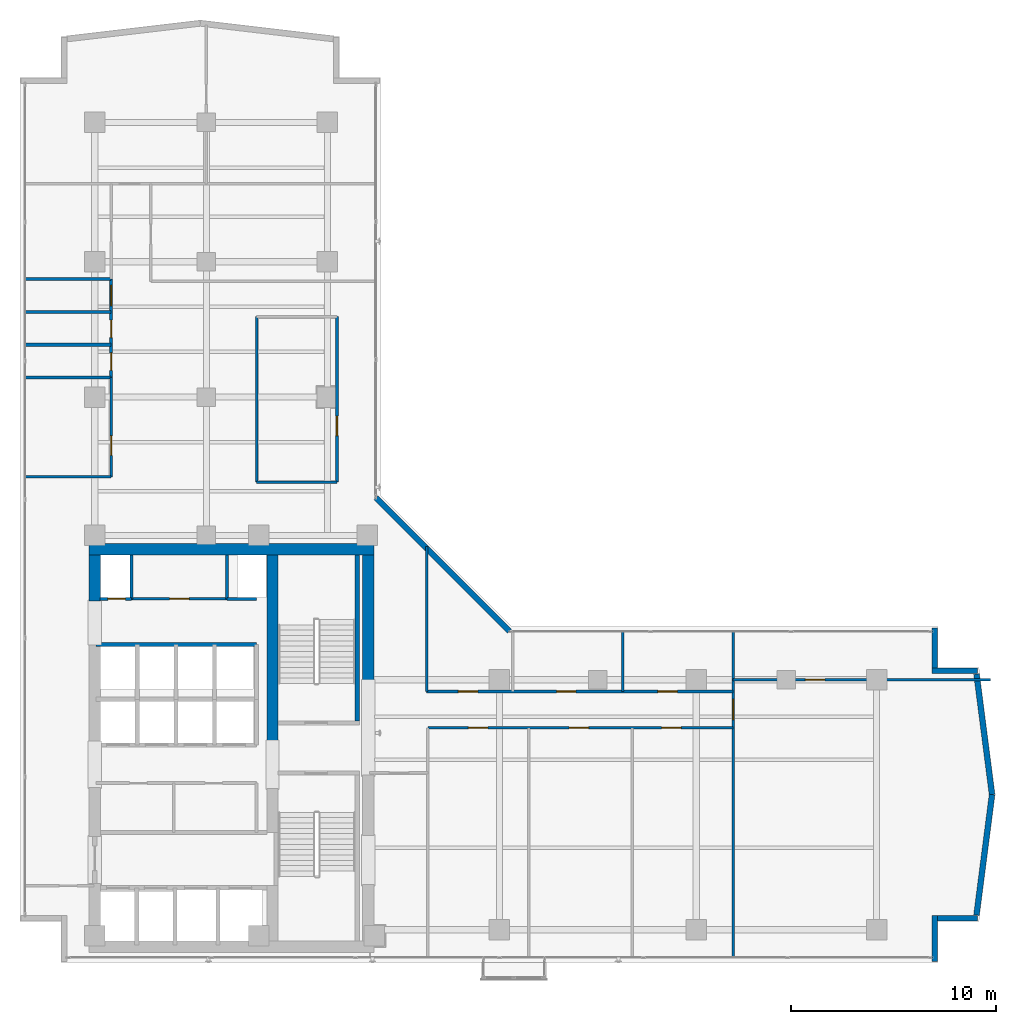
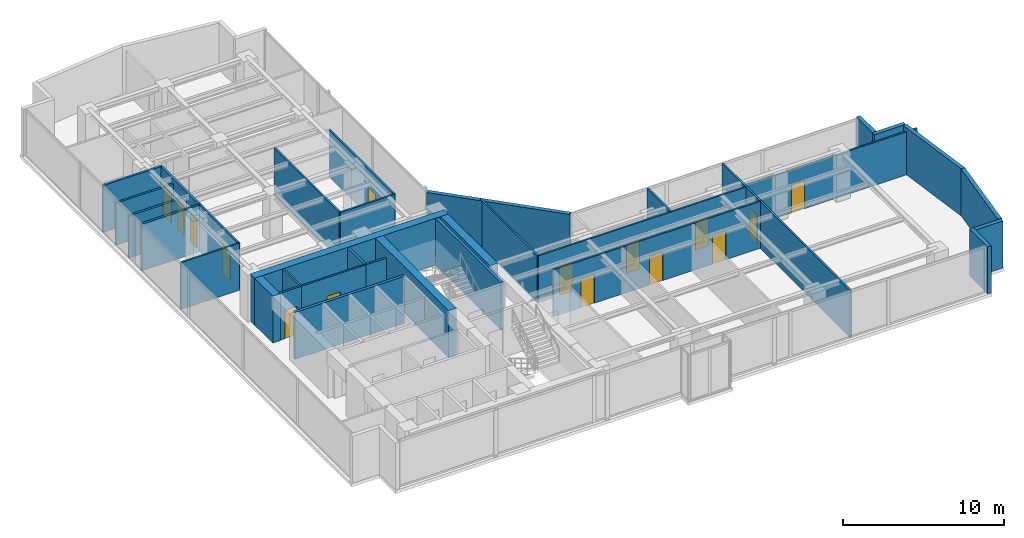
# One storey, part 18 of 23: 34 walls, 15 doors, 15 openings.
"""IFC4 building model written with IfcOpenShell, lengths in metres."""

from ifc_helpers import new_model, si_unit, direction, frame, frame_2d, origin, place, context, subcontext, project, spatial, rectangle, extrude, material, layer, layer_set, type_object, element, fill, save


model = new_model("IFC4")

# Units and contexts
model_context = context("Model", 3, precision=1e-05, world=origin(), true_north=direction((0.0, 1.0)))
body_context = subcontext(model_context, "Body", "Model", "MODEL_VIEW")
ifc_project = project(units=[si_unit("LENGTHUNIT", "METRE"), si_unit("AREAUNIT", "SQUARE_METRE"), si_unit("VOLUMEUNIT", "CUBIC_METRE"), si_unit("PLANEANGLEUNIT", "RADIAN"), si_unit("MASSUNIT", "GRAM", prefix="KILO")], contexts=[model_context])

# Site, building, storey
site_placement = place(None, origin())
site = spatial("IfcSite", under=ifc_project, at=site_placement, CompositionType="ELEMENT")
building_placement = place(site_placement, origin())
building = spatial("IfcBuilding", under=site, at=building_placement, Name="Kolvaren Waterfront Exchange", CompositionType="ELEMENT")
storey_placement = place(building_placement, frame((0.0, 0.0, 215.89990234375)))
storey = spatial("IfcBuildingStorey", under=building, at=storey_placement, Name="L55", CompositionType="ELEMENT", Elevation=215.89990234375)

# Walls
ifc_material_1 = material(Name="Precast concrete C40/50", Category="concrete")
ifc_layer_1 = layer(ifc_material_1, 0.280029296875, Name="Precast concrete C40/50")
ifc_layer_set_1 = layer_set([ifc_layer_1], Name="Precast concrete C40/50")
wall_type_1 = type_object("IfcWallType", Name="ARC-EXT-TERR-280", PredefinedType="SOLIDWALL", material=ifc_layer_set_1)
wall_1_placement = place(storey_placement, frame((48.43994140625, 3.659912109375, 0.0), z_axis=(0.0, 0.0, 1.0), x_axis=(0.0, 1.0, 0.0)))
element("IfcWall", 1, at=wall_1_placement, inside=storey, type_object=wall_type_1, Name="L55 notched corner spandrel pier SE-A", PredefinedType="SOLIDWALL", context=body_context, shape_type="SweptSolid", body=[
    extrude(rectangle(XDim=2.239990234375, YDim=0.280029296875, at=frame_2d((1.1201171875, 0.0))), origin(), (0.0, 0.0, 1.0), 3.56005859375),
])
wall_2_placement = place(storey_placement, frame((48.580078125, 5.760009765625, 0.0), z_axis=(0.0, 0.0, 1.0), x_axis=(1.0, 0.0, 0.0)))
element("IfcWall", 2, at=wall_2_placement, inside=storey, type_object=wall_type_1, Name="L55 notched corner spandrel pier SE-B", PredefinedType="SOLIDWALL", context=body_context, shape_type="SweptSolid", body=[
    extrude(rectangle(XDim=1.9599609375, YDim=0.280029296875, at=frame_2d((0.97998046875, 0.0))), origin(), (0.0, 0.0, 1.0), 3.56005859375),
])
wall_3_placement = place(storey_placement, frame((48.43994140625, 17.965087890625, 0.0), z_axis=(0.0, 0.0, 1.0), x_axis=(0.0, 1.0, 0.0)))
element("IfcWall", 3, at=wall_3_placement, inside=storey, type_object=wall_type_1, Name="L55 notched corner spandrel pier ENE-A", PredefinedType="SOLIDWALL", context=body_context, shape_type="SweptSolid", body=[
    extrude(rectangle(XDim=1.974853515625, YDim=0.280029296875, at=frame_2d((0.9873046875, 0.0))), origin(), (0.0, 0.0, 1.0), 3.56005859375),
])
wall_4_placement = place(storey_placement, frame((48.300048828125, 17.840087890625, 0.0), z_axis=(0.0, 0.0, 1.0), x_axis=(1.0, 0.0, 0.0)))
element("IfcWall", 4, at=wall_4_placement, inside=storey, type_object=wall_type_1, Name="L55 notched corner spandrel pier ENE-B", PredefinedType="SOLIDWALL", context=body_context, shape_type="SweptSolid", body=[
    extrude(rectangle(XDim=2.239990234375, YDim=0.280029296875, at=frame_2d((1.1201171875, 0.0))), origin(), (0.0, 0.0, 1.0), 3.56005859375),
])
wall_5_placement = place(storey_placement, frame((27.68505859375, 19.77490234375, 0.0), z_axis=(0.0, 0.0, 1.0), x_axis=(-0.707106781187, 0.707106781187, 0.0)))
element("IfcWall", 5, at=wall_5_placement, inside=storey, type_object=wall_type_1, Name="L55 notched corner spandrel pier ELBOW", PredefinedType="SOLIDWALL", context=body_context, shape_type="SweptSolid", body=[
    extrude(rectangle(XDim=9.20654296875, YDim=0.280029296875, at=frame_2d((4.603271484375, 0.0))), origin(), (0.0, 0.0, 1.0), 3.56005859375),
])
for number, where, z_axis, x_axis, name in (
    (6, (50.479736328125, 5.91796875, 0.0), (0.0, 0.0, 1.0), (0.127970031595, 0.991778035154, 0.0), "L55 east prow faceted facade wall 1"),
    (7, (51.23876953125, 11.79931640625, 0.0), (0.0, 0.0, 1.0), (-0.127970031595, 0.991778035154, 0.0), "L55 east prow faceted facade wall 2"),
):
    element("IfcWall", number, at=place(storey_placement, frame(where, z_axis=z_axis, x_axis=x_axis)), inside=storey, type_object=wall_type_1, Name=name, PredefinedType="SOLIDWALL", context=body_context, shape_type="SweptSolid", body=[
        extrude(rectangle(XDim=5.931396484375, YDim=0.280029296875, at=frame_2d((2.9658203125, 0.0))), origin(), (0.0, 0.0, 1.0), 3.56005859375),
    ])

# Wall, opening, door
ifc_material_2 = material(Name="Acoustic gypsum steel stud", Category="steel")
ifc_layer_2 = layer(ifc_material_2, 0.125, Name="Acoustic gypsum steel stud")
ifc_layer_set_2 = layer_set([ifc_layer_2], Name="Acoustic gypsum steel stud")
wall_type_2 = type_object("IfcWallType", Name="ARC-PART-125", PredefinedType="PARTITIONING", material=ifc_layer_set_2)
wall_6_placement = place(storey_placement, frame((9.25, 21.35009765625, 0.0), z_axis=(0.0, 0.0, 1.0), x_axis=(1.0, 0.0, 0.0)))
wall_6 = element("IfcWall", 8, at=wall_6_placement, inside=storey, type_object=wall_type_2, Name="L55 interior wall PW-L55-SVC-EX-S", PredefinedType="PARTITIONING", context=body_context, shape_type="SweptSolid", body=[
    extrude(rectangle(XDim=4.64990234375, YDim=0.125, at=frame_2d((2.324951171875, 0.0))), origin(), (0.0, 0.0, 1.0), 3.56005859375),
])
opening_1_placement = place(wall_6_placement, frame((1.85009765625, 0.0, 0.0)))
opening_1 = element("IfcOpeningElement", 9, at=opening_1_placement, cuts=wall_6, Name="Opening D02", PredefinedType="OPENING", context=body_context, shape_type="SweptSolid", body=[
    extrude(rectangle(XDim=0.949951171875, YDim=2.14990234375, at=frame_2d((0.47509765625, 1.074951171875))), frame((0.0, 0.072509765625, 0.0), z_axis=(0.0, -1.0, 0.0), x_axis=(1.0, 0.0, 0.0)), (0.0, 0.0, 1.0), 0.14501953125),
])
ifc_material_3 = material(Name="Oak veneer acoustic timber", Category="wood")
door_type_1 = type_object("IfcDoorType", Name="ARC-DR-950", OperationType="NOTDEFINED", PredefinedType="DOOR", material=ifc_material_3)
door_1_placement = place(opening_1_placement, origin())
door_1 = element("IfcDoor", 10, at=door_1_placement, inside=storey, type_object=door_type_1, Name="L55 door DR-L55-SVC-DR-1 (D02)", OperationType="SINGLE_SWING_LEFT", OverallHeight=2.14990234375, OverallWidth=0.949951171875, PredefinedType="DOOR", context=body_context, shape_type="SweptSolid", body=[
    extrude(rectangle(XDim=0.949951171875, YDim=2.14990234375, at=frame_2d((0.47509765625, 1.074951171875))), frame((0.0, 0.02490234375, 0.0), z_axis=(0.0, -1.0, 0.0), x_axis=(1.0, 0.0, 0.0)), (0.0, 0.0, 1.0), 0.050048828125),
])
fill(opening_1, door_1)

# Walls
wall_7_placement = place(storey_placement, frame((15.35009765625, 27.050048828125, 0.0), z_axis=(0.0, 0.0, 1.0), x_axis=(1.0, 0.0, 0.0)))
element("IfcWall", 11, at=wall_7_placement, inside=storey, type_object=wall_type_2, Name="L55 interior wall PW-L55-ISL-S", PredefinedType="PARTITIONING", context=body_context, shape_type="SweptSolid", body=[
    extrude(rectangle(XDim=3.919921875, YDim=0.125, at=frame_2d((1.9599609375, 0.0))), origin(), (0.0, 0.0, 1.0), 3.56005859375),
])
wall_8_placement = place(storey_placement, frame((15.35009765625, 27.050048828125, 0.0), z_axis=(0.0, 0.0, 1.0), x_axis=(0.0, 1.0, 0.0)))
element("IfcWall", 12, at=wall_8_placement, inside=storey, type_object=wall_type_2, Name="L55 interior wall PW-L55-ISL-W", PredefinedType="PARTITIONING", context=body_context, shape_type="SweptSolid", body=[
    extrude(rectangle(XDim=8.070068359375, YDim=0.125, at=frame_2d((4.03515625, 0.0))), origin(), (0.0, 0.0, 1.0), 3.56005859375),
])

# Wall, opening, door
wall_9_placement = place(storey_placement, frame((19.27001953125, 27.050048828125, 0.0), z_axis=(0.0, 0.0, 1.0), x_axis=(0.0, 1.0, 0.0)))
wall_9 = element("IfcWall", 13, at=wall_9_placement, inside=storey, type_object=wall_type_2, Name="L55 interior wall PW-L55-ISL-E", PredefinedType="PARTITIONING", context=body_context, shape_type="SweptSolid", body=[
    extrude(rectangle(XDim=8.070068359375, YDim=0.125, at=frame_2d((4.03515625, 0.0))), origin(), (0.0, 0.0, 1.0), 3.56005859375),
])
opening_2_placement = place(wall_9_placement, frame((2.27001953125, 0.0, 0.0)))
opening_2 = element("IfcOpeningElement", 14, at=opening_2_placement, cuts=wall_9, Name="Opening D02", PredefinedType="OPENING", context=body_context, shape_type="SweptSolid", body=[
    extrude(rectangle(XDim=0.949951171875, YDim=2.14990234375, at=frame_2d((0.47509765625, 1.074951171875))), frame((0.0, 0.072509765625, 0.0), z_axis=(0.0, -1.0, 0.0), x_axis=(1.0, 0.0, 0.0)), (0.0, 0.0, 1.0), 0.14501953125),
])
door_2_placement = place(opening_2_placement, origin())
door_2 = element("IfcDoor", 15, at=door_2_placement, inside=storey, type_object=door_type_1, Name="L55 door DR-L55-ISL-D (D02)", OperationType="SINGLE_SWING_RIGHT", OverallHeight=2.14990234375, OverallWidth=0.949951171875, PredefinedType="DOOR", context=body_context, shape_type="SweptSolid", body=[
    extrude(rectangle(XDim=0.949951171875, YDim=2.14990234375, at=frame_2d((0.47509765625, 1.074951171875))), frame((0.0, 0.02490234375, 0.0), z_axis=(0.0, -1.0, 0.0), x_axis=(1.0, 0.0, 0.0)), (0.0, 0.0, 1.0), 0.050048828125),
])
fill(opening_2, door_2)

wall_10_placement = place(storey_placement, frame((8.25, 27.300048828125, 0.0), z_axis=(0.0, 0.0, 1.0), x_axis=(0.0, 1.0, 0.0)))
wall_10 = element("IfcWall", 16, at=wall_10_placement, inside=storey, type_object=wall_type_2, Name="L55 interior wall PW-L55-PREWC-E", PredefinedType="PARTITIONING", context=body_context, shape_type="SweptSolid", body=[
    extrude(rectangle(XDim=4.849853515625, YDim=0.125, at=frame_2d((2.4248046875, 0.0))), origin(), (0.0, 0.0, 1.0), 3.56005859375),
])
opening_3_placement = place(wall_10_placement, frame((1.050048828125, 0.0, 0.0)))
opening_3 = element("IfcOpeningElement", 17, at=opening_3_placement, cuts=wall_10, Name="Opening D02", PredefinedType="OPENING", context=body_context, shape_type="SweptSolid", body=[
    extrude(rectangle(XDim=0.949951171875, YDim=2.14990234375, at=frame_2d((0.47509765625, 1.074951171875))), frame((0.0, 0.072509765625, 0.0), z_axis=(0.0, -1.0, 0.0), x_axis=(1.0, 0.0, 0.0)), (0.0, 0.0, 1.0), 0.14501953125),
])
door_3_placement = place(opening_3_placement, origin())
door_3 = element("IfcDoor", 18, at=door_3_placement, inside=storey, type_object=door_type_1, Name="L55 door DR-L55-PREWC-D (D02)", OperationType="SINGLE_SWING_LEFT", OverallHeight=2.14990234375, OverallWidth=0.949951171875, PredefinedType="DOOR", context=body_context, shape_type="SweptSolid", body=[
    extrude(rectangle(XDim=0.949951171875, YDim=2.14990234375, at=frame_2d((0.47509765625, 1.074951171875))), frame((0.0, 0.02490234375, 0.0), z_axis=(0.0, -1.0, 0.0), x_axis=(1.0, 0.0, 0.0)), (0.0, 0.0, 1.0), 0.050048828125),
])
fill(opening_3, door_3)

# Wall
wall_11_placement = place(storey_placement, frame((4.0400390625, 27.300048828125, 0.0), z_axis=(0.0, 0.0, 1.0), x_axis=(1.0, 0.0, 0.0)))
element("IfcWall", 19, at=wall_11_placement, inside=storey, type_object=wall_type_2, Name="L55 interior wall PW-L55-PREWC-S", PredefinedType="PARTITIONING", context=body_context, shape_type="SweptSolid", body=[
    extrude(rectangle(XDim=4.2099609375, YDim=0.125, at=frame_2d((2.10498046875, 0.0))), origin(), (0.0, 0.0, 1.0), 3.56005859375),
])

# Wall, openings, doors
wall_12_placement = place(storey_placement, frame((23.699951171875, 15.050048828125, 0.0), z_axis=(0.0, 0.0, 1.0), x_axis=(1.0, 0.0, 0.0)))
wall_12 = element("IfcWall", 20, at=wall_12_placement, inside=storey, type_object=wall_type_2, Name="L55 interior wall PW-L55-ES-CORR", PredefinedType="PARTITIONING", context=body_context, shape_type="SweptSolid", body=[
    extrude(rectangle(XDim=14.900146484375, YDim=0.125, at=frame_2d((7.4501953125, 0.0))), origin(), (0.0, 0.0, 1.0), 3.56005859375),
])
opening_4_placement = place(wall_12_placement, frame((1.985107421875, 0.0, 0.0)))
opening_4 = element("IfcOpeningElement", 21, at=opening_4_placement, cuts=wall_12, Name="Opening D02", PredefinedType="OPENING", context=body_context, shape_type="SweptSolid", body=[
    extrude(rectangle(XDim=0.949951171875, YDim=2.14990234375, at=frame_2d((0.47509765625, 1.074951171875))), frame((0.0, 0.072509765625, 0.0), z_axis=(0.0, -1.0, 0.0), x_axis=(1.0, 0.0, 0.0)), (0.0, 0.0, 1.0), 0.14501953125),
])
opening_5_placement = place(wall_12_placement, frame((6.903076171875, 0.0, 0.0)))
opening_5 = element("IfcOpeningElement", 22, at=opening_5_placement, cuts=wall_12, Name="Opening D02", PredefinedType="OPENING", context=body_context, shape_type="SweptSolid", body=[
    extrude(rectangle(XDim=0.949951171875, YDim=2.14990234375, at=frame_2d((0.47509765625, 1.074951171875))), frame((0.0, 0.072509765625, 0.0), z_axis=(0.0, -1.0, 0.0), x_axis=(1.0, 0.0, 0.0)), (0.0, 0.0, 1.0), 0.14501953125),
])
opening_6_placement = place(wall_12_placement, frame((11.416015625, 0.0, 0.0)))
opening_6 = element("IfcOpeningElement", 23, at=opening_6_placement, cuts=wall_12, Name="Opening D02", PredefinedType="OPENING", context=body_context, shape_type="SweptSolid", body=[
    extrude(rectangle(XDim=0.949951171875, YDim=2.14990234375, at=frame_2d((0.47509765625, 1.074951171875))), frame((0.0, 0.072509765625, 0.0), z_axis=(0.0, -1.0, 0.0), x_axis=(1.0, 0.0, 0.0)), (0.0, 0.0, 1.0), 0.14501953125),
])
door_4_placement = place(opening_4_placement, origin())
door_4 = element("IfcDoor", 24, at=door_4_placement, inside=storey, type_object=door_type_1, Name="L55 door DR-L55-ES-D-1 (D02)", OperationType="SINGLE_SWING_LEFT", OverallHeight=2.14990234375, OverallWidth=0.949951171875, PredefinedType="DOOR", context=body_context, shape_type="SweptSolid", body=[
    extrude(rectangle(XDim=0.949951171875, YDim=2.14990234375, at=frame_2d((0.47509765625, 1.074951171875))), frame((0.0, 0.02490234375, 0.0), z_axis=(0.0, -1.0, 0.0), x_axis=(1.0, 0.0, 0.0)), (0.0, 0.0, 1.0), 0.050048828125),
])
fill(opening_4, door_4)
door_5_placement = place(opening_5_placement, origin())
door_5 = element("IfcDoor", 25, at=door_5_placement, inside=storey, type_object=door_type_1, Name="L55 door DR-L55-ES-D-2 (D02)", OperationType="SINGLE_SWING_RIGHT", OverallHeight=2.14990234375, OverallWidth=0.949951171875, PredefinedType="DOOR", context=body_context, shape_type="SweptSolid", body=[
    extrude(rectangle(XDim=0.949951171875, YDim=2.14990234375, at=frame_2d((0.47509765625, 1.074951171875))), frame((0.0, 0.02490234375, 0.0), z_axis=(0.0, -1.0, 0.0), x_axis=(1.0, 0.0, 0.0)), (0.0, 0.0, 1.0), 0.050048828125),
])
fill(opening_5, door_5)
door_6_placement = place(opening_6_placement, origin())
door_6 = element("IfcDoor", 26, at=door_6_placement, inside=storey, type_object=door_type_1, Name="L55 door DR-L55-ES-D-3 (D02)", OperationType="SINGLE_SWING_LEFT", OverallHeight=2.14990234375, OverallWidth=0.949951171875, PredefinedType="DOOR", context=body_context, shape_type="SweptSolid", body=[
    extrude(rectangle(XDim=0.949951171875, YDim=2.14990234375, at=frame_2d((0.47509765625, 1.074951171875))), frame((0.0, 0.02490234375, 0.0), z_axis=(0.0, -1.0, 0.0), x_axis=(1.0, 0.0, 0.0)), (0.0, 0.0, 1.0), 0.050048828125),
])
fill(opening_6, door_6)

# Wall, opening, door
wall_13_placement = place(storey_placement, frame((38.60009765625, 3.840087890625, 0.0), z_axis=(0.0, 0.0, 1.0), x_axis=(0.0, 1.0, 0.0)))
wall_13 = element("IfcWall", 27, at=wall_13_placement, inside=storey, type_object=wall_type_2, Name="L55 interior wall PW-L55-ETIP-W", PredefinedType="PARTITIONING", context=body_context, shape_type="SweptSolid", body=[
    extrude(rectangle(XDim=15.919921875, YDim=0.125, at=frame_2d((7.9599609375, 0.0))), origin(), (0.0, 0.0, 1.0), 3.56005859375),
])
opening_7_placement = place(wall_13_placement, frame((11.60009765625, 0.0, 0.0)))
opening_7 = element("IfcOpeningElement", 28, at=opening_7_placement, cuts=wall_13, Name="Opening D03", PredefinedType="OPENING", context=body_context, shape_type="SweptSolid", body=[
    extrude(rectangle(XDim=1.0, YDim=2.199951171875, at=frame_2d((0.5, 1.10009765625))), frame((0.0, 0.072509765625, 0.0), z_axis=(0.0, -1.0, 0.0), x_axis=(1.0, 0.0, 0.0)), (0.0, 0.0, 1.0), 0.14501953125),
])
ifc_material_4 = material(Name="Oak veneer accessible timber", Category="wood")
door_type_2 = type_object("IfcDoorType", Name="ARC-DR-1000", OperationType="NOTDEFINED", PredefinedType="DOOR", material=ifc_material_4)
door_7_placement = place(opening_7_placement, origin())
door_7 = element("IfcDoor", 29, at=door_7_placement, inside=storey, type_object=door_type_2, Name="L55 door DR-L55-ETIP1-D (D03)", OperationType="SINGLE_SWING_RIGHT", OverallHeight=2.199951171875, OverallWidth=1.0, PredefinedType="DOOR", context=body_context, shape_type="SweptSolid", body=[
    extrude(rectangle(XDim=1.0, YDim=2.199951171875, at=frame_2d((0.5, 1.10009765625))), frame((0.0, 0.02490234375, 0.0), z_axis=(0.0, -1.0, 0.0), x_axis=(1.0, 0.0, 0.0)), (0.0, 0.0, 1.0), 0.050048828125),
])
fill(opening_7, door_7)

wall_14_placement = place(storey_placement, frame((38.60009765625, 17.39990234375, 0.0), z_axis=(0.0, 0.0, 1.0), x_axis=(1.0, 0.0, 0.0)))
wall_14 = element("IfcWall", 30, at=wall_14_placement, inside=storey, type_object=wall_type_2, Name="L55 interior wall PW-L55-ETIP-MID", PredefinedType="PARTITIONING", context=body_context, shape_type="SweptSolid", body=[
    extrude(rectangle(XDim=12.559814453125, YDim=0.125, at=frame_2d((6.27978515625, 0.0))), origin(), (0.0, 0.0, 1.0), 3.260009765625),
])
opening_8_placement = place(wall_14_placement, frame((3.52490234375, 0.0, 0.0)))
opening_8 = element("IfcOpeningElement", 31, at=opening_8_placement, cuts=wall_14, Name="Opening D02", PredefinedType="OPENING", context=body_context, shape_type="SweptSolid", body=[
    extrude(rectangle(XDim=0.949951171875, YDim=2.14990234375, at=frame_2d((0.47509765625, 1.074951171875))), frame((0.0, 0.072509765625, 0.0), z_axis=(0.0, -1.0, 0.0), x_axis=(1.0, 0.0, 0.0)), (0.0, 0.0, 1.0), 0.14501953125),
])
door_8_placement = place(opening_8_placement, origin())
door_8 = element("IfcDoor", 32, at=door_8_placement, inside=storey, type_object=door_type_1, Name="L55 door DR-L55-ETIP2-D (D02)", OperationType="SINGLE_SWING_LEFT", OverallHeight=2.14990234375, OverallWidth=0.949951171875, PredefinedType="DOOR", context=body_context, shape_type="SweptSolid", body=[
    extrude(rectangle(XDim=0.949951171875, YDim=2.14990234375, at=frame_2d((0.47509765625, 1.074951171875))), frame((0.0, 0.02490234375, 0.0), z_axis=(0.0, -1.0, 0.0), x_axis=(1.0, 0.0, 0.0)), (0.0, 0.0, 1.0), 0.050048828125),
])
fill(opening_8, door_8)

# Wall
wall_15_placement = place(storey_placement, frame((23.64990234375, 16.830078125, 0.0), z_axis=(0.0, 0.0, 1.0), x_axis=(0.0, 1.0, 0.0)))
element("IfcWall", 33, at=wall_15_placement, inside=storey, type_object=wall_type_2, Name="L55 interior wall PW-L55-EN-W0", PredefinedType="PARTITIONING", context=body_context, shape_type="SweptSolid", body=[
    extrude(rectangle(XDim=7.079833984375, YDim=0.125, at=frame_2d((3.5400390625, 0.0))), origin(), (0.0, 0.0, 1.0), 3.56005859375),
])

# Wall, openings, doors
wall_16_placement = place(storey_placement, frame((23.64990234375, 16.830078125, 0.0), z_axis=(0.0, 0.0, 1.0), x_axis=(1.0, 0.0, 0.0)))
wall_16 = element("IfcWall", 34, at=wall_16_placement, inside=storey, type_object=wall_type_2, Name="L55 interior wall PW-L55-EN-CORR", PredefinedType="PARTITIONING", context=body_context, shape_type="SweptSolid", body=[
    extrude(rectangle(XDim=14.9501953125, YDim=0.125, at=frame_2d((7.47509765625, 0.0))), origin(), (0.0, 0.0, 1.0), 3.56005859375),
])
opening_9_placement = place(wall_16_placement, frame((1.548095703125, 0.0, 0.0)))
opening_9 = element("IfcOpeningElement", 35, at=opening_9_placement, cuts=wall_16, Name="Opening D02", PredefinedType="OPENING", context=body_context, shape_type="SweptSolid", body=[
    extrude(rectangle(XDim=0.949951171875, YDim=2.14990234375, at=frame_2d((0.47509765625, 1.074951171875))), frame((0.0, 0.072509765625, 0.0), z_axis=(0.0, -1.0, 0.0), x_axis=(1.0, 0.0, 0.0)), (0.0, 0.0, 1.0), 0.14501953125),
])
opening_10_placement = place(wall_16_placement, frame((6.33251953125, 0.0, 0.0)))
opening_10 = element("IfcOpeningElement", 36, at=opening_10_placement, cuts=wall_16, Name="Opening D02", PredefinedType="OPENING", context=body_context, shape_type="SweptSolid", body=[
    extrude(rectangle(XDim=0.949951171875, YDim=2.14990234375, at=frame_2d((0.47509765625, 1.074951171875))), frame((0.0, 0.072509765625, 0.0), z_axis=(0.0, -1.0, 0.0), x_axis=(1.0, 0.0, 0.0)), (0.0, 0.0, 1.0), 0.14501953125),
])
opening_11_placement = place(wall_16_placement, frame((11.27685546875, 0.0, 0.0)))
opening_11 = element("IfcOpeningElement", 37, at=opening_11_placement, cuts=wall_16, Name="Opening D02", PredefinedType="OPENING", context=body_context, shape_type="SweptSolid", body=[
    extrude(rectangle(XDim=0.949951171875, YDim=2.14990234375, at=frame_2d((0.47509765625, 1.074951171875))), frame((0.0, 0.072509765625, 0.0), z_axis=(0.0, -1.0, 0.0), x_axis=(1.0, 0.0, 0.0)), (0.0, 0.0, 1.0), 0.14501953125),
])
door_9_placement = place(opening_9_placement, origin())
door_9 = element("IfcDoor", 38, at=door_9_placement, inside=storey, type_object=door_type_1, Name="L55 door DR-L55-EN-D-1 (D02)", OperationType="SINGLE_SWING_RIGHT", OverallHeight=2.14990234375, OverallWidth=0.949951171875, PredefinedType="DOOR", context=body_context, shape_type="SweptSolid", body=[
    extrude(rectangle(XDim=0.949951171875, YDim=2.14990234375, at=frame_2d((0.47509765625, 1.074951171875))), frame((0.0, 0.02490234375, 0.0), z_axis=(0.0, -1.0, 0.0), x_axis=(1.0, 0.0, 0.0)), (0.0, 0.0, 1.0), 0.050048828125),
])
fill(opening_9, door_9)
door_10_placement = place(opening_10_placement, origin())
door_10 = element("IfcDoor", 39, at=door_10_placement, inside=storey, type_object=door_type_1, Name="L55 door DR-L55-EN-D-2 (D02)", OperationType="SINGLE_SWING_LEFT", OverallHeight=2.14990234375, OverallWidth=0.949951171875, PredefinedType="DOOR", context=body_context, shape_type="SweptSolid", body=[
    extrude(rectangle(XDim=0.949951171875, YDim=2.14990234375, at=frame_2d((0.47509765625, 1.074951171875))), frame((0.0, 0.02490234375, 0.0), z_axis=(0.0, -1.0, 0.0), x_axis=(1.0, 0.0, 0.0)), (0.0, 0.0, 1.0), 0.050048828125),
])
fill(opening_10, door_10)
door_11_placement = place(opening_11_placement, origin())
door_11 = element("IfcDoor", 40, at=door_11_placement, inside=storey, type_object=door_type_1, Name="L55 door DR-L55-EN-D-3 (D02)", OperationType="SINGLE_SWING_RIGHT", OverallHeight=2.14990234375, OverallWidth=0.949951171875, PredefinedType="DOOR", context=body_context, shape_type="SweptSolid", body=[
    extrude(rectangle(XDim=0.949951171875, YDim=2.14990234375, at=frame_2d((0.47509765625, 1.074951171875))), frame((0.0, 0.02490234375, 0.0), z_axis=(0.0, -1.0, 0.0), x_axis=(1.0, 0.0, 0.0)), (0.0, 0.0, 1.0), 0.050048828125),
])
fill(opening_11, door_11)

# Walls
wall_17_placement = place(storey_placement, frame((33.219970703125, 16.830078125, 0.0), z_axis=(0.0, 0.0, 1.0), x_axis=(0.0, 1.0, 0.0)))
element("IfcWall", 41, at=wall_17_placement, inside=storey, type_object=wall_type_2, Name="L55 interior wall PW-L55-EN-DIV-2", PredefinedType="PARTITIONING", context=body_context, shape_type="SweptSolid", body=[
    extrude(rectangle(XDim=2.929931640625, YDim=0.125, at=frame_2d((1.46484375, 0.0))), origin(), (0.0, 0.0, 1.0), 3.56005859375),
])
ifc_material_5 = material(Name="Gypsum fireboard steel stud", Category="steel")
ifc_layer_3 = layer(ifc_material_5, 0.14990234375, Name="Gypsum fireboard steel stud")
ifc_layer_set_3 = layer_set([ifc_layer_3], Name="Gypsum fireboard steel stud")
wall_type_3 = type_object("IfcWallType", Name="ARC-PART-150", PredefinedType="PARTITIONING", material=ifc_layer_set_3)
for number, where, z_axis, x_axis, name in (
    (42, (9.25, 21.35009765625, 0.0), (0.0, 0.0, 1.0), (0.0, 1.0, 0.0), "L55 interior wall PW-L55-SVC-R1"),
    (43, (13.89990234375, 21.35009765625, 0.0), (0.0, 0.0, 1.0), (0.0, 1.0, 0.0), "L55 interior wall PW-L55-SVC-R2"),
):
    element("IfcWall", number, at=place(storey_placement, frame(where, z_axis=z_axis, x_axis=x_axis)), inside=storey, type_object=wall_type_3, Name=name, PredefinedType="PARTITIONING", context=body_context, shape_type="SweptSolid", body=[
        extrude(rectangle(XDim=2.1298828125, YDim=0.14990234375, at=frame_2d((1.06494140625, 0.0))), origin(), (0.0, 0.0, 1.0), 3.56005859375),
    ])

# Wall, opening, door
wall_18_placement = place(storey_placement, frame((7.699951171875, 21.35009765625, 0.0), z_axis=(0.0, 0.0, 1.0), x_axis=(1.0, 0.0, 0.0)))
wall_18 = element("IfcWall", 44, at=wall_18_placement, inside=storey, type_object=wall_type_3, Name="L55 interior wall PW-L55-SVC-RE-S", PredefinedType="PARTITIONING", context=body_context, shape_type="SweptSolid", body=[
    extrude(rectangle(XDim=1.550048828125, YDim=0.14990234375, at=frame_2d((0.77490234375, 0.0))), origin(), (0.0, 0.0, 1.0), 3.56005859375),
])
opening_12_placement = place(wall_18_placement, frame((0.389892578125, 0.0, 0.0)))
opening_12 = element("IfcOpeningElement", 45, at=opening_12_placement, cuts=wall_18, Name="Opening FD1", PredefinedType="OPENING", context=body_context, shape_type="SweptSolid", body=[
    extrude(rectangle(XDim=0.85009765625, YDim=2.14990234375, at=frame_2d((0.425048828125, 1.074951171875))), frame((0.0, 0.0849609375, 0.0), z_axis=(0.0, -1.0, 0.0), x_axis=(1.0, 0.0, 0.0)), (0.0, 0.0, 1.0), 0.169921875),
])
ifc_material_6 = material(Name="Pressed steel fire leaf", Category="steel")
door_type_3 = type_object("IfcDoorType", Name="ARC-FD-900", OperationType="NOTDEFINED", PredefinedType="DOOR", material=ifc_material_6)
door_12_placement = place(opening_12_placement, origin())
door_12 = element("IfcDoor", 46, at=door_12_placement, inside=storey, type_object=door_type_3, Name="L55 door DR-L55-RISER-E-DR (FD1)", OperationType="SINGLE_SWING_RIGHT", OverallHeight=2.14990234375, OverallWidth=0.85009765625, PredefinedType="DOOR", context=body_context, shape_type="SweptSolid", body=[
    extrude(rectangle(XDim=0.85009765625, YDim=2.14990234375, at=frame_2d((0.425048828125, 1.074951171875))), frame((0.0, 0.02490234375, 0.0), z_axis=(0.0, -1.0, 0.0), x_axis=(1.0, 0.0, 0.0)), (0.0, 0.0, 1.0), 0.050048828125),
])
fill(opening_12, door_12)

# Walls
wall_19_placement = place(storey_placement, frame((13.89990234375, 21.35009765625, 0.0), z_axis=(0.0, 0.0, 1.0), x_axis=(1.0, 0.0, 0.0)))
element("IfcWall", 47, at=wall_19_placement, inside=storey, type_object=wall_type_3, Name="L55 interior wall PW-L55-SVC-RP-S", PredefinedType="PARTITIONING", context=body_context, shape_type="SweptSolid", body=[
    extrude(rectangle(XDim=1.4501953125, YDim=0.14990234375, at=frame_2d((0.72509765625, 0.0))), origin(), (0.0, 0.0, 1.0), 3.56005859375),
])
ifc_material_7 = material(Name="Moisture-resistant gypsum stud")
ifc_layer_4 = layer(ifc_material_7, 0.14990234375, Name="Moisture-resistant gypsum stud")
ifc_layer_set_4 = layer_set([ifc_layer_4], Name="Moisture-resistant gypsum stud")
wall_type_4 = type_object("IfcWallType", Name="ARC-PLUMB-150", PredefinedType="PLUMBINGWALL", material=ifc_layer_set_4)
wall_20_placement = place(storey_placement, frame((4.0400390625, 32.14990234375, 0.0), z_axis=(0.0, 0.0, 1.0), x_axis=(1.0, 0.0, 0.0)))
element("IfcWall", 48, at=wall_20_placement, inside=storey, type_object=wall_type_4, Name="L55 interior wall PW-L55-WC-0", PredefinedType="PLUMBINGWALL", context=body_context, shape_type="SweptSolid", body=[
    extrude(rectangle(XDim=4.2099609375, YDim=0.14990234375, at=frame_2d((2.10498046875, 0.0))), origin(), (0.0, 0.0, 1.0), 3.56005859375),
])

# Wall, openings, doors
wall_21_placement = place(storey_placement, frame((8.25, 32.14990234375, 0.0), z_axis=(0.0, 0.0, 1.0), x_axis=(0.0, 1.0, 0.0)))
wall_21 = element("IfcWall", 49, at=wall_21_placement, inside=storey, type_object=wall_type_4, Name="L55 interior wall PW-L55-WC-E", PredefinedType="PLUMBINGWALL", context=body_context, shape_type="SweptSolid", body=[
    extrude(rectangle(XDim=4.800048828125, YDim=0.14990234375, at=frame_2d((2.39990234375, 0.0))), origin(), (0.0, 0.0, 1.0), 3.56005859375),
])
opening_13_placement = place(wall_21_placement, frame((0.35009765625, 0.0, 0.0)))
opening_13 = element("IfcOpeningElement", 50, at=opening_13_placement, cuts=wall_21, Name="Opening D01", PredefinedType="OPENING", context=body_context, shape_type="SweptSolid", body=[
    extrude(rectangle(XDim=0.85009765625, YDim=2.14990234375, at=frame_2d((0.425048828125, 1.074951171875))), frame((0.0, 0.0849609375, 0.0), z_axis=(0.0, -1.0, 0.0), x_axis=(1.0, 0.0, 0.0)), (0.0, 0.0, 1.0), 0.169921875),
])
opening_14_placement = place(wall_21_placement, frame((1.949951171875, 0.0, 0.0)))
opening_14 = element("IfcOpeningElement", 51, at=opening_14_placement, cuts=wall_21, Name="Opening D01", PredefinedType="OPENING", context=body_context, shape_type="SweptSolid", body=[
    extrude(rectangle(XDim=0.85009765625, YDim=2.14990234375, at=frame_2d((0.425048828125, 1.074951171875))), frame((0.0, 0.0849609375, 0.0), z_axis=(0.0, -1.0, 0.0), x_axis=(1.0, 0.0, 0.0)), (0.0, 0.0, 1.0), 0.169921875),
])
opening_15_placement = place(wall_21_placement, frame((3.5, 0.0, 0.0)))
opening_15 = element("IfcOpeningElement", 52, at=opening_15_placement, cuts=wall_21, Name="Opening D03", PredefinedType="OPENING", context=body_context, shape_type="SweptSolid", body=[
    extrude(rectangle(XDim=1.0, YDim=2.199951171875, at=frame_2d((0.5, 1.10009765625))), frame((0.0, 0.0849609375, 0.0), z_axis=(0.0, -1.0, 0.0), x_axis=(1.0, 0.0, 0.0)), (0.0, 0.0, 1.0), 0.169921875),
])
door_13_placement = place(opening_15_placement, origin())
door_13 = element("IfcDoor", 53, at=door_13_placement, inside=storey, type_object=door_type_2, Name="L55 door DR-L55-WCA-D (D03)", OperationType="SINGLE_SWING_RIGHT", OverallHeight=2.199951171875, OverallWidth=1.0, PredefinedType="DOOR", context=body_context, shape_type="SweptSolid", body=[
    extrude(rectangle(XDim=1.0, YDim=2.199951171875, at=frame_2d((0.5, 1.10009765625))), frame((0.0, 0.02490234375, 0.0), z_axis=(0.0, -1.0, 0.0), x_axis=(1.0, 0.0, 0.0)), (0.0, 0.0, 1.0), 0.050048828125),
])
fill(opening_15, door_13)
ifc_material_8 = material(Name="Oak veneer timber leaf", Category="wood")
door_type_4 = type_object("IfcDoorType", Name="ARC-DR-900", OperationType="NOTDEFINED", PredefinedType="DOOR", material=ifc_material_8)
door_14_placement = place(opening_13_placement, origin())
door_14 = element("IfcDoor", 54, at=door_14_placement, inside=storey, type_object=door_type_4, Name="L55 door DR-L55-WCM-D (D01)", OperationType="SINGLE_SWING_RIGHT", OverallHeight=2.14990234375, OverallWidth=0.85009765625, PredefinedType="DOOR", context=body_context, shape_type="SweptSolid", body=[
    extrude(rectangle(XDim=0.85009765625, YDim=2.14990234375, at=frame_2d((0.425048828125, 1.074951171875))), frame((0.0, 0.02490234375, 0.0), z_axis=(0.0, -1.0, 0.0), x_axis=(1.0, 0.0, 0.0)), (0.0, 0.0, 1.0), 0.050048828125),
])
fill(opening_13, door_14)
door_15_placement = place(opening_14_placement, origin())
door_15 = element("IfcDoor", 55, at=door_15_placement, inside=storey, type_object=door_type_4, Name="L55 door DR-L55-WCF-D (D01)", OperationType="SINGLE_SWING_LEFT", OverallHeight=2.14990234375, OverallWidth=0.85009765625, PredefinedType="DOOR", context=body_context, shape_type="SweptSolid", body=[
    extrude(rectangle(XDim=0.85009765625, YDim=2.14990234375, at=frame_2d((0.425048828125, 1.074951171875))), frame((0.0, 0.02490234375, 0.0), z_axis=(0.0, -1.0, 0.0), x_axis=(1.0, 0.0, 0.0)), (0.0, 0.0, 1.0), 0.050048828125),
])
fill(opening_14, door_15)

# Walls
for number, where, z_axis, x_axis, name in (
    (56, (4.0400390625, 33.75, 0.0), (0.0, 0.0, 1.0), (1.0, 0.0, 0.0), "L55 interior wall PW-L55-WC-1"),
    (57, (4.0400390625, 35.35009765625, 0.0), (0.0, 0.0, 1.0), (1.0, 0.0, 0.0), "L55 interior wall PW-L55-WC-2"),
):
    element("IfcWall", number, at=place(storey_placement, frame(where, z_axis=z_axis, x_axis=x_axis)), inside=storey, type_object=wall_type_4, Name=name, PredefinedType="PLUMBINGWALL", context=body_context, shape_type="SweptSolid", body=[
        extrude(rectangle(XDim=4.2099609375, YDim=0.14990234375, at=frame_2d((2.10498046875, 0.0))), origin(), (0.0, 0.0, 1.0), 3.2001953125),
    ])
wall_22_placement = place(storey_placement, frame((4.0400390625, 36.949951171875, 0.0), z_axis=(0.0, 0.0, 1.0), x_axis=(1.0, 0.0, 0.0)))
element("IfcWall", 58, at=wall_22_placement, inside=storey, type_object=wall_type_4, Name="L55 interior wall PW-L55-WC-3", PredefinedType="PLUMBINGWALL", context=body_context, shape_type="SweptSolid", body=[
    extrude(rectangle(XDim=4.2099609375, YDim=0.14990234375, at=frame_2d((2.10498046875, 0.0))), origin(), (0.0, 0.0, 1.0), 3.56005859375),
])
ifc_material_9 = material(Name="Concrete C40/50", Category="concrete")
ifc_layer_5 = layer(ifc_material_9, 0.199951171875, Name="Concrete C40/50")
ifc_layer_set_5 = layer_set([ifc_layer_5], Name="Concrete C40/50")
wall_type_5 = type_object("IfcWallType", Name="ARC-SHAFT-200", PredefinedType="PARTITIONING", material=ifc_layer_set_5)
wall_23_placement = place(storey_placement, frame((20.260009765625, 15.39990234375, 0.0), z_axis=(0.0, 0.0, 1.0), x_axis=(0.0, 1.0, 0.0)))
element("IfcWall", 59, at=wall_23_placement, inside=storey, type_object=wall_type_5, Name="L55 structural stairwell wall PW-L55-ST2-E", PredefinedType="SHEAR", context=body_context, shape_type="SweptSolid", body=[
    extrude(rectangle(XDim=8.090087890625, YDim=0.199951171875, at=frame_2d((4.044921875, 0.0))), origin(), (0.0, 0.0, 1.0), 3.56005859375),
])
wall_24_placement = place(storey_placement, frame((7.5, 19.1201171875, 0.0), z_axis=(0.0, 0.0, 1.0), x_axis=(1.0, 0.0, 0.0)))
element("IfcWall", 60, at=wall_24_placement, inside=storey, type_object=wall_type_5, Name="L55 interior wall PW-L55-PH-N", PredefinedType="PARTITIONING", context=body_context, shape_type="SweptSolid", body=[
    extrude(rectangle(XDim=7.85009765625, YDim=0.199951171875, at=frame_2d((3.925048828125, 0.0))), origin(), (0.0, 0.0, 1.0), 3.56005859375),
])
ifc_material_10 = material(Name="Concrete C50/60", Category="concrete")
ifc_layer_6 = layer(ifc_material_10, 0.550048828125, Name="Concrete C50/60")
ifc_layer_set_6 = layer_set([ifc_layer_6], Name="Concrete C50/60")
wall_type_6 = type_object("IfcWallType", Name="STR-CWALL-550", PredefinedType="SHEAR", material=ifc_layer_set_6)
wall_25_placement = place(storey_placement, frame((7.175048828125, 23.77490234375, 0.0), z_axis=(0.0, 0.0, 1.0), x_axis=(1.0, 0.0, 0.0)))
element("IfcWall", 61, at=wall_25_placement, inside=storey, type_object=wall_type_6, Name="L55 rear-core shear wall N", PredefinedType="SHEAR", context=body_context, shape_type="SweptSolid", body=[
    extrude(rectangle(XDim=13.89990234375, YDim=0.550048828125, at=frame_2d((6.949951171875, 0.0))), origin(), (0.0, 0.0, 1.0), 3.56005859375),
])
wall_26_placement = place(storey_placement, frame((7.449951171875, 21.239990234375, 0.0), z_axis=(0.0, 0.0, 1.0), x_axis=(0.0, 1.0, 0.0)))
element("IfcWall", 62, at=wall_26_placement, inside=storey, type_object=wall_type_6, Name="L55 rear-core shear wall W3", PredefinedType="SHEAR", context=body_context, shape_type="SweptSolid", body=[
    extrude(rectangle(XDim=2.260009765625, YDim=0.550048828125, at=frame_2d((1.1298828125, 0.0))), origin(), (0.0, 0.0, 1.0), 3.56005859375),
])
wall_27_placement = place(storey_placement, frame((20.800048828125, 17.35009765625, 0.0), z_axis=(0.0, 0.0, 1.0), x_axis=(0.0, 1.0, 0.0)))
element("IfcWall", 63, at=wall_27_placement, inside=storey, type_object=wall_type_6, Name="L55 rear-core shear wall E3", PredefinedType="SHEAR", context=body_context, shape_type="SweptSolid", body=[
    extrude(rectangle(XDim=6.14990234375, YDim=0.550048828125, at=frame_2d((3.074951171875, 0.0))), origin(), (0.0, 0.0, 1.0), 3.56005859375),
])
wall_28_placement = place(storey_placement, frame((16.125, 14.39990234375, 0.0), z_axis=(0.0, 0.0, 1.0), x_axis=(0.0, 1.0, 0.0)))
element("IfcWall", 64, at=wall_28_placement, inside=storey, type_object=wall_type_6, Name="L55 rear-core shear wall M3", PredefinedType="SHEAR", context=body_context, shape_type="SweptSolid", body=[
    extrude(rectangle(XDim=9.10009765625, YDim=0.550048828125, at=frame_2d((4.550048828125, 0.0))), origin(), (0.0, 0.0, 1.0), 3.56005859375),
])

save(model, "model.ifc")
